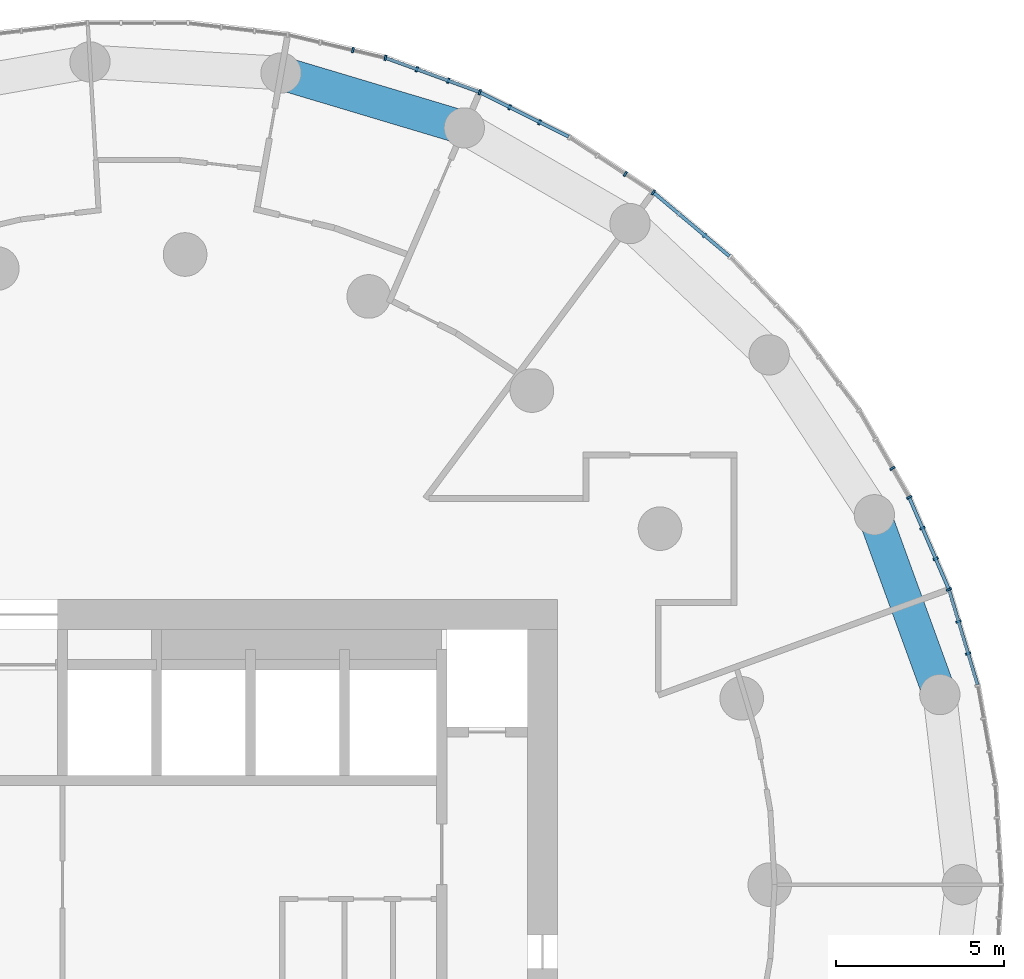
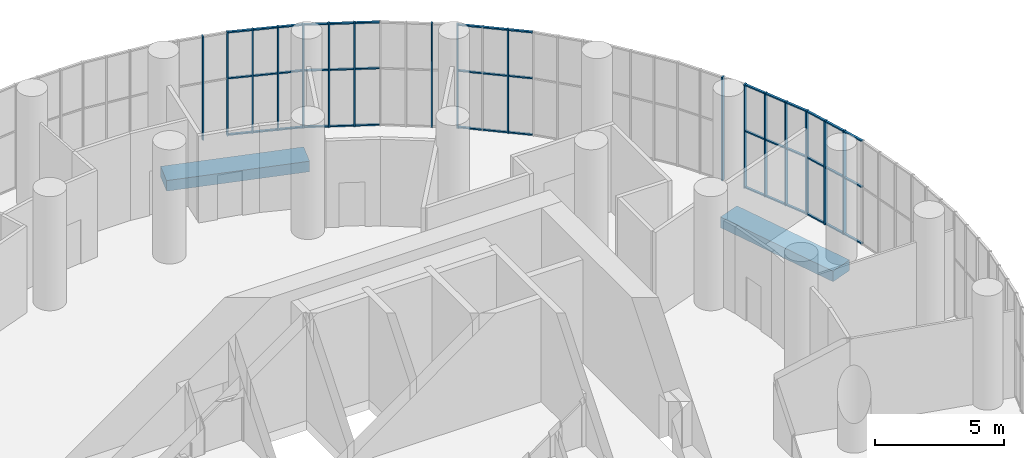
# One storey, part 9 of 21: 32 members, 2 beams, 8 elements without a shape of their own.
"""IFC4 building model written with IfcOpenShell, lengths in metres."""

from ifc_helpers import new_model, si_unit, direction, frame, origin, origin_2d, place, context, subcontext, project, spatial, rectangle, extrude, material, layer, layer_set, material_profile, profile_set, type_object, element, aggregate, save


model = new_model("IFC4")

# Units and contexts
model_context = context("Model", 3, precision=1e-05, world=origin(), true_north=direction((0.0, 1.0)))
body_context = subcontext(model_context, "Body", "Model", "MODEL_VIEW")
ifc_project = project(units=[si_unit("LENGTHUNIT", "METRE"), si_unit("AREAUNIT", "SQUARE_METRE"), si_unit("VOLUMEUNIT", "CUBIC_METRE"), si_unit("PLANEANGLEUNIT", "RADIAN"), si_unit("MASSUNIT", "GRAM", prefix="KILO")], contexts=[model_context])

# Site, building, storey
site_placement = place(None, origin())
site = spatial("IfcSite", under=ifc_project, at=site_placement, CompositionType="ELEMENT")
building_placement = place(site_placement, origin())
building = spatial("IfcBuilding", under=site, at=building_placement, Name="Tracery Tower", CompositionType="ELEMENT")
storey_placement = place(building_placement, frame((0.0, 0.0, 219.60009765625)))
storey = spatial("IfcBuildingStorey", under=building, at=storey_placement, Name="L57", CompositionType="ELEMENT", Elevation=219.60009765625)

# Beams
ifc_material_1 = material(Name="Concrete C50/60", Category="concrete")
ifc_material_profile_1 = material_profile(ifc_material_1, rectangle(XDim=1.0, YDim=0.5, at=origin_2d()), Name="RC 1000x500")
ifc_profile_set_1 = profile_set([ifc_material_profile_1], Name="Concrete C50/60")
beam_type = type_object("IfcBeamType", Name="Perimeter band beam 1000x500 under 450 slab", PredefinedType="BEAM", material=ifc_profile_set_1)
for number, where, z_axis, x_axis, name in (
    (1, (23.885986328125, 5.6611328125, -0.7001953125), (-0.342028502279, 0.939689578334, 0.0), (-0.939689578334, -0.342028502279, 0.0), "Perimeter beam 1.01 under L57"),
    (2, (9.722900390625, 22.5400390625, -0.7001953125), (-0.957985292634, 0.28681732705, 0.0), (-0.28681732705, -0.957985292634, 0.0), "Perimeter beam 1.05 under L57"),
):
    element("IfcBeam", number, at=place(storey_placement, frame(where, z_axis=z_axis, x_axis=x_axis)), inside=storey, type_object=beam_type, Name=name, PredefinedType="BEAM", context=body_context, shape_type="SweptSolid", body=[
        extrude(rectangle(XDim=1.0, YDim=0.5, at=origin_2d()), origin(), (0.0, 0.0, 1.0), 5.69970703125),
    ])

# Curtain wall, members
ifc_material_2 = material(Name="Aluminium curtain wall with tinted glass", Category="aluminium")
ifc_layer = layer(ifc_material_2, 0.159912109375)
ifc_layer_set = layer_set([ifc_layer], Name="Sky lounge 2 tracery curtain wall")
curtain_wall_type = type_object("IfcCurtainWallType", Name="Sky lounge 2 tracery curtain wall", PredefinedType="NOTDEFINED", material=ifc_layer_set)
curtain_wall_1_placement = place(storey_placement, origin())
curtain_wall_1 = element("IfcCurtainWall", 3, at=curtain_wall_1_placement, inside=storey, type_object=curtain_wall_type, Name="Sky lounge 2 curtain wall run 3", PredefinedType="NOTDEFINED")
ifc_material_3 = material(Name="Aluminium, bronze anodised", Category="aluminium")
ifc_material_profile_2 = material_profile(ifc_material_3, rectangle(XDim=0.159912109375, YDim=0.06005859375, at=origin_2d()), Name="AL 60x160")
ifc_profile_set_2 = profile_set([ifc_material_profile_2], Name="Aluminium, bronze anodised")
member_type_1 = type_object("IfcMemberType", Name="Sky lounge 2 mullion 60 x 160", PredefinedType="MULLION", material=ifc_profile_set_2)
member_1_placement = place(storey_placement, frame((24.728759765625, 6.88330078125, 0.0), z_axis=(0.0, 0.0, 1.0), x_axis=(-0.957989512314, -0.286803232717, 0.0)))
member_1 = element("IfcMember", 4, at=member_1_placement, type_object=member_type_1, Name="Sky lounge 2 curtain wall run 3 mullion 2", PredefinedType="MULLION", context=body_context, shape_type="SweptSolid", body=[
    extrude(rectangle(XDim=0.159912109375, YDim=0.06005859375, at=origin_2d()), origin(), (0.0, 0.0, 1.0), 4.89990234375),
])
member_2_placement = place(storey_placement, frame((24.443115234375, 7.837890625, 0.0), z_axis=(0.0, 0.0, 1.0), x_axis=(-0.957989512314, -0.286803232717, 0.0)))
member_2 = element("IfcMember", 5, at=member_2_placement, type_object=member_type_1, Name="Sky lounge 2 curtain wall run 3 mullion 3", PredefinedType="MULLION", context=body_context, shape_type="SweptSolid", body=[
    extrude(rectangle(XDim=0.159912109375, YDim=0.06005859375, at=origin_2d()), origin(), (0.0, 0.0, 1.0), 4.89990234375),
])

curtain_wall_2_placement = place(storey_placement, origin())
curtain_wall_2 = element("IfcCurtainWall", 6, at=curtain_wall_2_placement, inside=storey, type_object=curtain_wall_type, Name="Sky lounge 2 curtain wall run 4", PredefinedType="NOTDEFINED")
member_3_placement = place(storey_placement, frame((24.1572265625, 8.79248046875, 0.0), z_axis=(0.0, 0.0, 1.0), x_axis=(-0.918216106883, -0.396079766034, 0.0)))
member_3 = element("IfcMember", 7, at=member_3_placement, type_object=member_type_1, Name="Sky lounge 2 curtain wall run 4 mullion 1", PredefinedType="MULLION", context=body_context, shape_type="SweptSolid", body=[
    extrude(rectangle(XDim=0.159912109375, YDim=0.06005859375, at=origin_2d()), origin(), (0.0, 0.0, 1.0), 4.89990234375),
])
member_4_placement = place(storey_placement, frame((23.762451171875, 9.70751953125, 0.0), z_axis=(0.0, 0.0, 1.0), x_axis=(-0.918216106883, -0.396079766034, 0.0)))
member_4 = element("IfcMember", 8, at=member_4_placement, type_object=member_type_1, Name="Sky lounge 2 curtain wall run 4 mullion 2", PredefinedType="MULLION", context=body_context, shape_type="SweptSolid", body=[
    extrude(rectangle(XDim=0.159912109375, YDim=0.06005859375, at=origin_2d()), origin(), (0.0, 0.0, 1.0), 4.89990234375),
])
member_5_placement = place(storey_placement, frame((23.367919921875, 10.62255859375, 0.0), z_axis=(0.0, 0.0, 1.0), x_axis=(-0.918216106883, -0.396079766034, 0.0)))
member_5 = element("IfcMember", 9, at=member_5_placement, type_object=member_type_1, Name="Sky lounge 2 curtain wall run 4 mullion 3", PredefinedType="MULLION", context=body_context, shape_type="SweptSolid", body=[
    extrude(rectangle(XDim=0.159912109375, YDim=0.06005859375, at=origin_2d()), origin(), (0.0, 0.0, 1.0), 4.89990234375),
])

curtain_wall_3_placement = place(storey_placement, origin())
curtain_wall_3 = element("IfcCurtainWall", 10, at=curtain_wall_3_placement, inside=storey, type_object=curtain_wall_type, Name="Sky lounge 2 curtain wall run 5", PredefinedType="NOTDEFINED")
member_6_placement = place(storey_placement, frame((22.97314453125, 11.53759765625, 0.0), z_axis=(0.0, 0.0, 1.0), x_axis=(-0.866025403784, -0.5, 0.0)))
member_6 = element("IfcMember", 11, at=member_6_placement, type_object=member_type_1, Name="Sky lounge 2 curtain wall run 5 mullion 1", PredefinedType="MULLION", context=body_context, shape_type="SweptSolid", body=[
    extrude(rectangle(XDim=0.159912109375, YDim=0.06005859375, at=origin_2d()), origin(), (0.0, 0.0, 1.0), 4.89990234375),
])
member_7_placement = place(storey_placement, frame((22.474853515625, 12.400634765625, 0.0), z_axis=(0.0, 0.0, 1.0), x_axis=(-0.866025403784, -0.5, 0.0)))
member_7 = element("IfcMember", 12, at=member_7_placement, type_object=member_type_1, Name="Sky lounge 2 curtain wall run 5 mullion 2", PredefinedType="MULLION", context=body_context, shape_type="SweptSolid", body=[
    extrude(rectangle(XDim=0.159912109375, YDim=0.06005859375, at=origin_2d()), origin(), (0.0, 0.0, 1.0), 4.89990234375),
])
aggregate(curtain_wall_3, [member_6, member_7])

# Curtain wall, member
curtain_wall_4_placement = place(storey_placement, origin())
curtain_wall_4 = element("IfcCurtainWall", 13, at=curtain_wall_4_placement, inside=storey, type_object=curtain_wall_type, Name="Sky lounge 2 curtain wall run 8", PredefinedType="NOTDEFINED")
member_8_placement = place(storey_placement, frame((16.878173828125, 19.339599609375, 0.0), z_axis=(0.0, 0.0, 1.0), x_axis=(-0.642787609687, -0.766044443119, 0.0)))
member_8 = element("IfcMember", 14, at=member_8_placement, type_object=member_type_1, Name="Sky lounge 2 curtain wall run 8 mullion 2", PredefinedType="MULLION", context=body_context, shape_type="SweptSolid", body=[
    extrude(rectangle(XDim=0.159912109375, YDim=0.06005859375, at=origin_2d()), origin(), (0.0, 0.0, 1.0), 4.89990234375),
])

# Curtain wall, members
curtain_wall_5_placement = place(storey_placement, origin())
curtain_wall_5 = element("IfcCurtainWall", 15, at=curtain_wall_5_placement, inside=storey, type_object=curtain_wall_type, Name="Sky lounge 2 curtain wall run 9", PredefinedType="NOTDEFINED")
member_9_placement = place(storey_placement, frame((15.3515625, 20.62060546875, 0.0), z_axis=(0.0, 0.0, 1.0), x_axis=(-0.549508978066, -0.835487811416, 0.0)))
member_9 = element("IfcMember", 16, at=member_9_placement, type_object=member_type_1, Name="Sky lounge 2 curtain wall run 9 mullion 1", PredefinedType="MULLION", context=body_context, shape_type="SweptSolid", body=[
    extrude(rectangle(XDim=0.159912109375, YDim=0.06005859375, at=origin_2d()), origin(), (0.0, 0.0, 1.0), 4.89990234375),
])
member_10_placement = place(storey_placement, frame((14.518798828125, 21.168212890625, 0.0), z_axis=(0.0, 0.0, 1.0), x_axis=(-0.549508978066, -0.835487811416, 0.0)))
member_10 = element("IfcMember", 17, at=member_10_placement, type_object=member_type_1, Name="Sky lounge 2 curtain wall run 9 mullion 2", PredefinedType="MULLION", context=body_context, shape_type="SweptSolid", body=[
    extrude(rectangle(XDim=0.159912109375, YDim=0.06005859375, at=origin_2d()), origin(), (0.0, 0.0, 1.0), 4.89990234375),
])
aggregate(curtain_wall_5, [member_9, member_10])

curtain_wall_6_placement = place(storey_placement, origin())
curtain_wall_6 = element("IfcCurtainWall", 18, at=curtain_wall_6_placement, inside=storey, type_object=curtain_wall_type, Name="Sky lounge 2 curtain wall run 10", PredefinedType="NOTDEFINED")
member_11_placement = place(storey_placement, frame((11.96337890625, 22.710693359375, 0.0), z_axis=(0.0, 0.0, 1.0), x_axis=(-0.448799180206, -0.893632640321, 0.0)))
member_11 = element("IfcMember", 19, at=member_11_placement, type_object=member_type_1, Name="Sky lounge 2 curtain wall run 10 mullion 2", PredefinedType="MULLION", context=body_context, shape_type="SweptSolid", body=[
    extrude(rectangle(XDim=0.159912109375, YDim=0.06005859375, at=origin_2d()), origin(), (0.0, 0.0, 1.0), 4.89990234375),
])
member_12_placement = place(storey_placement, frame((11.07275390625, 23.157958984375, 0.0), z_axis=(0.0, 0.0, 1.0), x_axis=(-0.448799180206, -0.893632640321, 0.0)))
member_12 = element("IfcMember", 20, at=member_12_placement, type_object=member_type_1, Name="Sky lounge 2 curtain wall run 10 mullion 3", PredefinedType="MULLION", context=body_context, shape_type="SweptSolid", body=[
    extrude(rectangle(XDim=0.159912109375, YDim=0.06005859375, at=origin_2d()), origin(), (0.0, 0.0, 1.0), 4.89990234375),
])

curtain_wall_7_placement = place(storey_placement, origin())
curtain_wall_7 = element("IfcCurtainWall", 21, at=curtain_wall_7_placement, inside=storey, type_object=curtain_wall_type, Name="Sky lounge 2 curtain wall run 11", PredefinedType="NOTDEFINED")
member_13_placement = place(storey_placement, frame((10.18212890625, 23.60498046875, 0.0), z_axis=(0.0, 0.0, 1.0), x_axis=(-0.342020143326, -0.939692620786, 0.0)))
member_13 = element("IfcMember", 22, at=member_13_placement, type_object=member_type_1, Name="Sky lounge 2 curtain wall run 11 mullion 1", PredefinedType="MULLION", context=body_context, shape_type="SweptSolid", body=[
    extrude(rectangle(XDim=0.159912109375, YDim=0.06005859375, at=origin_2d()), origin(), (0.0, 0.0, 1.0), 4.89990234375),
])
member_14_placement = place(storey_placement, frame((9.245849609375, 23.94580078125, 0.0), z_axis=(0.0, 0.0, 1.0), x_axis=(-0.342020143326, -0.939692620786, 0.0)))
member_14 = element("IfcMember", 23, at=member_14_placement, type_object=member_type_1, Name="Sky lounge 2 curtain wall run 11 mullion 2", PredefinedType="MULLION", context=body_context, shape_type="SweptSolid", body=[
    extrude(rectangle(XDim=0.159912109375, YDim=0.06005859375, at=origin_2d()), origin(), (0.0, 0.0, 1.0), 4.89990234375),
])
member_15_placement = place(storey_placement, frame((8.309326171875, 24.28662109375, 0.0), z_axis=(0.0, 0.0, 1.0), x_axis=(-0.342020143326, -0.939692620786, 0.0)))
member_15 = element("IfcMember", 24, at=member_15_placement, type_object=member_type_1, Name="Sky lounge 2 curtain wall run 11 mullion 3", PredefinedType="MULLION", context=body_context, shape_type="SweptSolid", body=[
    extrude(rectangle(XDim=0.159912109375, YDim=0.06005859375, at=origin_2d()), origin(), (0.0, 0.0, 1.0), 4.89990234375),
])

curtain_wall_8_placement = place(storey_placement, origin())
curtain_wall_8 = element("IfcCurtainWall", 25, at=curtain_wall_8_placement, inside=storey, type_object=curtain_wall_type, Name="Sky lounge 2 curtain wall run 12", PredefinedType="NOTDEFINED")
member_16_placement = place(storey_placement, frame((7.373046875, 24.62744140625, 0.0), z_axis=(0.0, 0.0, 1.0), x_axis=(-0.230615870737, -0.973044870581, 0.0)))
member_16 = element("IfcMember", 26, at=member_16_placement, type_object=member_type_1, Name="Sky lounge 2 curtain wall run 12 mullion 1", PredefinedType="MULLION", context=body_context, shape_type="SweptSolid", body=[
    extrude(rectangle(XDim=0.159912109375, YDim=0.06005859375, at=origin_2d()), origin(), (0.0, 0.0, 1.0), 4.89990234375),
])
member_17_placement = place(storey_placement, frame((6.4033203125, 24.857421875, 0.0), z_axis=(0.0, 0.0, 1.0), x_axis=(-0.230615870737, -0.973044870581, 0.0)))
member_17 = element("IfcMember", 27, at=member_17_placement, type_object=member_type_1, Name="Sky lounge 2 curtain wall run 12 mullion 2", PredefinedType="MULLION", context=body_context, shape_type="SweptSolid", body=[
    extrude(rectangle(XDim=0.159912109375, YDim=0.06005859375, at=origin_2d()), origin(), (0.0, 0.0, 1.0), 4.89990234375),
])
aggregate(curtain_wall_8, [member_16, member_17])

# Member
ifc_material_4 = material(Name="Aluminium, bronze anodised", Category="aluminium")
ifc_material_profile_3 = material_profile(ifc_material_4, rectangle(XDim=0.10009765625, YDim=0.06005859375, at=origin_2d()), Name="AL 60x100")
ifc_profile_set_3 = profile_set([ifc_material_profile_3], Name="Aluminium, bronze anodised")
member_type_2 = type_object("IfcMemberType", Name="Sky lounge 2 transom 60 x 100", PredefinedType="USERDEFINED", material=ifc_profile_set_3)
member_18_placement = place(storey_placement, frame((25.006103515625, 5.957275390625, 0.02978515625), z_axis=(-0.286850874601, 0.957975247979, 0.0), x_axis=(-0.957975247979, -0.286850874601, 0.0)))
member_18 = element("IfcMember", 28, at=member_18_placement, type_object=member_type_2, Name="Sky lounge 2 curtain wall run 3 transom 1", ObjectType="TRANSOM", PredefinedType="USERDEFINED", context=body_context, shape_type="SweptSolid", body=[
    extrude(rectangle(XDim=0.10009765625, YDim=0.06005859375, at=origin_2d()), origin(), (0.0, 0.0, 1.0), 2.929443359375),
])

member_19_placement = place(storey_placement, frame((25.006103515625, 5.957275390625, 2.699951171875), z_axis=(-0.286850874601, 0.957975247979, 0.0), x_axis=(-0.957975247979, -0.286850874601, 0.0)))
member_19 = element("IfcMember", 29, at=member_19_placement, type_object=member_type_2, Name="Sky lounge 2 curtain wall run 3 transom 2", ObjectType="TRANSOM", PredefinedType="USERDEFINED", context=body_context, shape_type="SweptSolid", body=[
    extrude(rectangle(XDim=0.10009765625, YDim=0.06005859375, at=origin_2d()), origin(), (0.0, 0.0, 1.0), 2.929443359375),
])

member_20_placement = place(storey_placement, frame((25.006103515625, 5.957275390625, 4.869873046875), z_axis=(-0.286850874601, 0.957975247979, 0.0), x_axis=(-0.957975247979, -0.286850874601, 0.0)))
member_20 = element("IfcMember", 30, at=member_20_placement, type_object=member_type_2, Name="Sky lounge 2 curtain wall run 3 transom 3", ObjectType="TRANSOM", PredefinedType="USERDEFINED", context=body_context, shape_type="SweptSolid", body=[
    extrude(rectangle(XDim=0.10009765625, YDim=0.06005859375, at=origin_2d()), origin(), (0.0, 0.0, 1.0), 2.929443359375),
])

aggregate(curtain_wall_1, [member_1, member_2, member_18, member_19, member_20])

member_21_placement = place(storey_placement, frame((24.145263671875, 8.820068359375, 0.02978515625), z_axis=(-0.396030490021, 0.918237360912, 0.0), x_axis=(-0.918237360912, -0.396030490021, 0.0)))
member_21 = element("IfcMember", 31, at=member_21_placement, type_object=member_type_2, Name="Sky lounge 2 curtain wall run 4 transom 1", ObjectType="TRANSOM", PredefinedType="USERDEFINED", context=body_context, shape_type="SweptSolid", body=[
    extrude(rectangle(XDim=0.10009765625, YDim=0.06005859375, at=origin_2d()), origin(), (0.0, 0.0, 1.0), 2.929443359375),
])

member_22_placement = place(storey_placement, frame((24.145263671875, 8.820068359375, 2.699951171875), z_axis=(-0.396030490021, 0.918237360912, 0.0), x_axis=(-0.918237360912, -0.396030490021, 0.0)))
member_22 = element("IfcMember", 32, at=member_22_placement, type_object=member_type_2, Name="Sky lounge 2 curtain wall run 4 transom 2", ObjectType="TRANSOM", PredefinedType="USERDEFINED", context=body_context, shape_type="SweptSolid", body=[
    extrude(rectangle(XDim=0.10009765625, YDim=0.06005859375, at=origin_2d()), origin(), (0.0, 0.0, 1.0), 2.929443359375),
])

member_23_placement = place(storey_placement, frame((24.145263671875, 8.820068359375, 4.869873046875), z_axis=(-0.396030490021, 0.918237360912, 0.0), x_axis=(-0.918237360912, -0.396030490021, 0.0)))
member_23 = element("IfcMember", 33, at=member_23_placement, type_object=member_type_2, Name="Sky lounge 2 curtain wall run 4 transom 3", ObjectType="TRANSOM", PredefinedType="USERDEFINED", context=body_context, shape_type="SweptSolid", body=[
    extrude(rectangle(XDim=0.10009765625, YDim=0.06005859375, at=origin_2d()), origin(), (0.0, 0.0, 1.0), 2.929443359375),
])

aggregate(curtain_wall_2, [member_3, member_4, member_5, member_21, member_22, member_23])

member_24_placement = place(storey_placement, frame((17.61865234375, 18.71826171875, 0.02978515625), z_axis=(-0.766044599457, 0.64278742337, 0.0), x_axis=(-0.64278742337, -0.766044599457, 0.0)))
member_24 = element("IfcMember", 34, at=member_24_placement, type_object=member_type_2, Name="Sky lounge 2 curtain wall run 8 transom 1", ObjectType="TRANSOM", PredefinedType="USERDEFINED", context=body_context, shape_type="SweptSolid", body=[
    extrude(rectangle(XDim=0.10009765625, YDim=0.06005859375, at=origin_2d()), origin(), (0.0, 0.0, 1.0), 2.929443359375),
])

member_25_placement = place(storey_placement, frame((17.61865234375, 18.71826171875, 2.699951171875), z_axis=(-0.766044599457, 0.64278742337, 0.0), x_axis=(-0.64278742337, -0.766044599457, 0.0)))
member_25 = element("IfcMember", 35, at=member_25_placement, type_object=member_type_2, Name="Sky lounge 2 curtain wall run 8 transom 2", ObjectType="TRANSOM", PredefinedType="USERDEFINED", context=body_context, shape_type="SweptSolid", body=[
    extrude(rectangle(XDim=0.10009765625, YDim=0.06005859375, at=origin_2d()), origin(), (0.0, 0.0, 1.0), 2.929443359375),
])

member_26_placement = place(storey_placement, frame((17.61865234375, 18.71826171875, 4.869873046875), z_axis=(-0.766044599457, 0.64278742337, 0.0), x_axis=(-0.64278742337, -0.766044599457, 0.0)))
member_26 = element("IfcMember", 36, at=member_26_placement, type_object=member_type_2, Name="Sky lounge 2 curtain wall run 8 transom 3", ObjectType="TRANSOM", PredefinedType="USERDEFINED", context=body_context, shape_type="SweptSolid", body=[
    extrude(rectangle(XDim=0.10009765625, YDim=0.06005859375, at=origin_2d()), origin(), (0.0, 0.0, 1.0), 2.929443359375),
])

aggregate(curtain_wall_4, [member_8, member_24, member_25, member_26])

member_27_placement = place(storey_placement, frame((12.826904296875, 22.27685546875, 0.02978515625), z_axis=(-0.893642433599, 0.448779679654, 0.0), x_axis=(-0.448779679654, -0.893642433599, 0.0)))
member_27 = element("IfcMember", 37, at=member_27_placement, type_object=member_type_2, Name="Sky lounge 2 curtain wall run 10 transom 1", ObjectType="TRANSOM", PredefinedType="USERDEFINED", context=body_context, shape_type="SweptSolid", body=[
    extrude(rectangle(XDim=0.10009765625, YDim=0.06005859375, at=origin_2d()), origin(), (0.0, 0.0, 1.0), 2.929443359375),
])

member_28_placement = place(storey_placement, frame((12.826904296875, 22.27685546875, 2.699951171875), z_axis=(-0.893642433599, 0.448779679654, 0.0), x_axis=(-0.448779679654, -0.893642433599, 0.0)))
member_28 = element("IfcMember", 38, at=member_28_placement, type_object=member_type_2, Name="Sky lounge 2 curtain wall run 10 transom 2", ObjectType="TRANSOM", PredefinedType="USERDEFINED", context=body_context, shape_type="SweptSolid", body=[
    extrude(rectangle(XDim=0.10009765625, YDim=0.06005859375, at=origin_2d()), origin(), (0.0, 0.0, 1.0), 2.929443359375),
])

member_29_placement = place(storey_placement, frame((12.826904296875, 22.27685546875, 4.869873046875), z_axis=(-0.893642433599, 0.448779679654, 0.0), x_axis=(-0.448779679654, -0.893642433599, 0.0)))
member_29 = element("IfcMember", 39, at=member_29_placement, type_object=member_type_2, Name="Sky lounge 2 curtain wall run 10 transom 3", ObjectType="TRANSOM", PredefinedType="USERDEFINED", context=body_context, shape_type="SweptSolid", body=[
    extrude(rectangle(XDim=0.10009765625, YDim=0.06005859375, at=origin_2d()), origin(), (0.0, 0.0, 1.0), 2.929443359375),
])

aggregate(curtain_wall_6, [member_11, member_12, member_27, member_28, member_29])

member_30_placement = place(storey_placement, frame((10.154052734375, 23.615234375, 0.02978515625), z_axis=(-0.939696058731, 0.342010697502, 0.0), x_axis=(-0.342010697502, -0.939696058731, 0.0)))
member_30 = element("IfcMember", 40, at=member_30_placement, type_object=member_type_2, Name="Sky lounge 2 curtain wall run 11 transom 1", ObjectType="TRANSOM", PredefinedType="USERDEFINED", context=body_context, shape_type="SweptSolid", body=[
    extrude(rectangle(XDim=0.10009765625, YDim=0.06005859375, at=origin_2d()), origin(), (0.0, 0.0, 1.0), 2.9296875),
])

member_31_placement = place(storey_placement, frame((10.154052734375, 23.615234375, 2.699951171875), z_axis=(-0.939696058731, 0.342010697502, 0.0), x_axis=(-0.342010697502, -0.939696058731, 0.0)))
member_31 = element("IfcMember", 41, at=member_31_placement, type_object=member_type_2, Name="Sky lounge 2 curtain wall run 11 transom 2", ObjectType="TRANSOM", PredefinedType="USERDEFINED", context=body_context, shape_type="SweptSolid", body=[
    extrude(rectangle(XDim=0.10009765625, YDim=0.06005859375, at=origin_2d()), origin(), (0.0, 0.0, 1.0), 2.9296875),
])

member_32_placement = place(storey_placement, frame((10.154052734375, 23.615234375, 4.869873046875), z_axis=(-0.939696058731, 0.342010697502, 0.0), x_axis=(-0.342010697502, -0.939696058731, 0.0)))
member_32 = element("IfcMember", 42, at=member_32_placement, type_object=member_type_2, Name="Sky lounge 2 curtain wall run 11 transom 3", ObjectType="TRANSOM", PredefinedType="USERDEFINED", context=body_context, shape_type="SweptSolid", body=[
    extrude(rectangle(XDim=0.10009765625, YDim=0.06005859375, at=origin_2d()), origin(), (0.0, 0.0, 1.0), 2.9296875),
])

aggregate(curtain_wall_7, [member_13, member_14, member_15, member_30, member_31, member_32])

save(model, "model.ifc")
